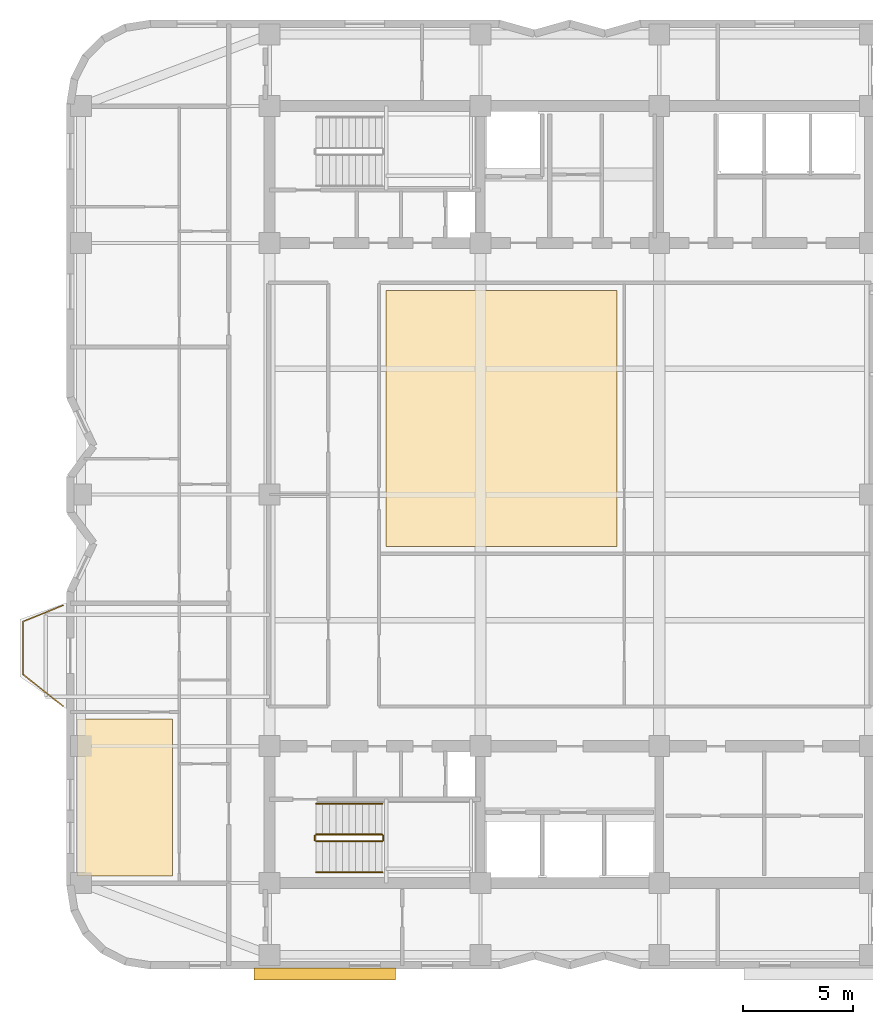
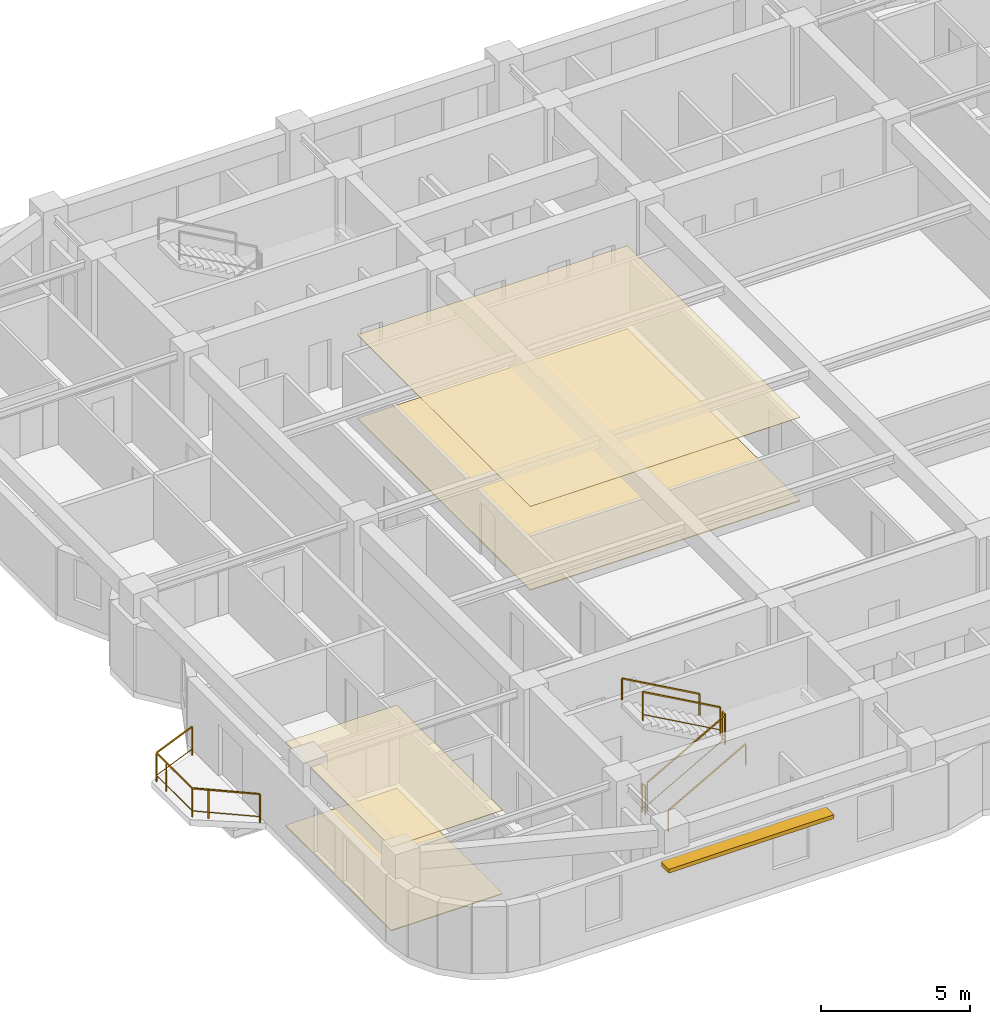
# One storey, part 8 of 10: 7 railings, 4 coverings, 1 shading device.
"""IFC4 building model written with IfcOpenShell, lengths in metres."""

from ifc_helpers import new_model, si_unit, direction, frame, origin, origin_2d, place, context, subcontext, project, spatial, polyline, rectangle, outline, extrude, material, layer, layer_set, type_object, element, save


model = new_model("IFC4")

# Units and contexts
model_context = context("Model", 3, precision=1e-05, world=origin(), true_north=direction((0.0, 1.0)))
body_context = subcontext(model_context, "Body", "Model", "MODEL_VIEW")
ifc_project = project(units=[si_unit("LENGTHUNIT", "METRE"), si_unit("AREAUNIT", "SQUARE_METRE"), si_unit("VOLUMEUNIT", "CUBIC_METRE"), si_unit("PLANEANGLEUNIT", "RADIAN"), si_unit("MASSUNIT", "GRAM", prefix="KILO")], contexts=[model_context])

# Site, building, storey
site_placement = place(None, origin())
site = spatial("IfcSite", under=ifc_project, at=site_placement, CompositionType="ELEMENT")
building_placement = place(site_placement, origin())
building = spatial("IfcBuilding", under=site, at=building_placement, Name="Svetorya Sky Lyceum", CompositionType="ELEMENT")
storey_placement = place(building_placement, frame((0.0, 0.0, 188.5)))
storey = spatial("IfcBuildingStorey", under=building, at=storey_placement, Name="L47", CompositionType="ELEMENT", Elevation=188.5)

# Coverings
ifc_material_1 = material(Name="Perforated acoustic gypsum ceiling board")
ifc_layer_1 = layer(ifc_material_1, 0.01806640625)
ifc_layer_set_1 = layer_set([ifc_layer_1], Name="Perforated acoustic gypsum ceiling board")
covering_type_1 = type_object("IfcCoveringType", Name="COV-CLG-GYP", PredefinedType="CEILING", material=ifc_layer_set_1)
covering_1_placement = place(storey_placement, frame((0.0, 0.0, 3.422119140625)))
element("IfcCovering", 1, at=covering_1_placement, inside=storey, type_object=covering_type_1, Name="Wellness Hall L47 North Acoustic Ceiling", PredefinedType="CEILING", context=body_context, shape_type="SweptSolid", body=[
    extrude(outline(polyline([(30.8701171875, 25.850341796875), (41.330078125, 25.850341796875), (41.330078125, 37.449951171875), (30.8701171875, 37.449951171875), (30.8701171875, 25.850341796875)])), origin(), (0.0, 0.0, 1.0), 0.017822265625),
])
covering_2_placement = place(storey_placement, frame((0.0, 0.0, 3.422119140625)))
element("IfcCovering", 2, at=covering_2_placement, inside=storey, type_object=covering_type_1, Name="Apartment W1 Living Room Acoustic Ceiling", PredefinedType="CEILING", context=body_context, shape_type="SweptSolid", body=[
    extrude(outline(polyline([(16.8701171875, 10.929931640625), (21.18994140625, 10.929931640625), (21.18994140625, 18.0400390625), (16.8701171875, 18.0400390625), (16.8701171875, 10.929931640625)])), origin(), (0.0, 0.0, 1.0), 0.017822265625),
])
ifc_material_2 = material(Name="Honed Karelian granite terrazzo flooring", Category="masonry")
ifc_layer_2 = layer(ifc_material_2, 0.030029296875)
ifc_layer_set_2 = layer_set([ifc_layer_2], Name="Honed Karelian granite terrazzo flooring")
covering_type_2 = type_object("IfcCoveringType", Name="COV-FLR-TER", PredefinedType="FLOORING", material=ifc_layer_set_2)
covering_3_placement = place(storey_placement, origin())
element("IfcCovering", 3, at=covering_3_placement, inside=storey, type_object=covering_type_2, Name="Wellness Hall L47 North Architectural Flooring", PredefinedType="FLOORING", context=body_context, shape_type="SweptSolid", body=[
    extrude(outline(polyline([(30.8701171875, 25.850341796875), (41.330078125, 25.850341796875), (41.330078125, 37.449951171875), (30.8701171875, 37.449951171875), (30.8701171875, 25.850341796875)])), origin(), (0.0, 0.0, 1.0), 0.030029296875),
])
covering_4_placement = place(storey_placement, origin())
element("IfcCovering", 4, at=covering_4_placement, inside=storey, type_object=covering_type_2, Name="Apartment W1 Living Room Architectural Flooring", PredefinedType="FLOORING", context=body_context, shape_type="SweptSolid", body=[
    extrude(outline(polyline([(16.8701171875, 10.929931640625), (21.18994140625, 10.929931640625), (21.18994140625, 18.0400390625), (16.8701171875, 18.0400390625), (16.8701171875, 10.929931640625)])), origin(), (0.0, 0.0, 1.0), 0.030029296875),
])

# Railings
ifc_material_3 = material(Name="Laminated safety glass and stainless AISI 316", Category="glass")
railing_type_1 = type_object("IfcRailingType", Name="RL-BAL-1200", PredefinedType="BALUSTRADE", material=ifc_material_3)
railing_1_placement = place(storey_placement, frame((16.22998046875, 18.6201171875, 0.0)))
element("IfcRailing", 5, at=railing_1_placement, inside=storey, type_object=railing_type_1, Name="L47 Balcony Balustrade BAL-W1", PredefinedType="BALUSTRADE", context=body_context, shape_type="SweptSolid", body=[
    extrude(rectangle(XDim=0.048095703125, YDim=0.048095703125, at=origin_2d()), frame((0.0, 0.0, 1.17578125), z_axis=(-0.783008919264, 0.622010476079, 0.0), x_axis=(-0.622010476079, -0.783008919264, 0.0)), (0.0, 0.0, 1.0), 2.298828125),
    extrude(rectangle(XDim=0.02392578125, YDim=0.02392578125, at=origin_2d()), frame((0.0, 0.0, 0.25), z_axis=(-0.783008919264, 0.622010476079, 0.0), x_axis=(-0.622010476079, -0.783008919264, 0.0)), (0.0, 0.0, 1.0), 2.298828125),
    extrude(rectangle(XDim=0.048095703125, YDim=0.048095703125, at=origin_2d()), frame((-1.800048828125, 1.429931640625, 1.17578125), z_axis=(0.0, 1.0, 0.0), x_axis=(-1.0, 0.0, 0.0)), (0.0, 0.0, 1.0), 2.39990234375),
    extrude(rectangle(XDim=0.02392578125, YDim=0.02392578125, at=origin_2d()), frame((-1.800048828125, 1.429931640625, 0.25), z_axis=(0.0, 1.0, 0.0), x_axis=(-1.0, 0.0, 0.0)), (0.0, 0.0, 1.0), 2.39990234375),
    extrude(rectangle(XDim=0.048095703125, YDim=0.048095703125, at=origin_2d()), frame((-1.800048828125, 3.829833984375, 1.17578125), z_axis=(0.926697865975, 0.375807218129, 0.0), x_axis=(-0.375807218129, 0.926697865975, 0.0)), (0.0, 0.0, 1.0), 1.9423828125),
    extrude(rectangle(XDim=0.02392578125, YDim=0.02392578125, at=origin_2d()), frame((-1.800048828125, 3.829833984375, 0.25), z_axis=(0.926697865975, 0.375807218129, 0.0), x_axis=(-0.375807218129, 0.926697865975, 0.0)), (0.0, 0.0, 1.0), 1.9423828125),
    extrude(rectangle(XDim=0.0419921875, YDim=0.0419921875, at=origin_2d()), origin(), (0.0, 0.0, 1.0), 1.15185546875),
    extrude(rectangle(XDim=0.0419921875, YDim=0.0419921875, at=origin_2d()), frame((-1.370361328125, 1.088623046875, 0.0)), (0.0, 0.0, 1.0), 1.15185546875),
    extrude(rectangle(XDim=0.0419921875, YDim=0.0419921875, at=origin_2d()), frame((-1.800048828125, 1.429931640625, 0.0)), (0.0, 0.0, 1.0), 1.15185546875),
    extrude(rectangle(XDim=0.0419921875, YDim=0.0419921875, at=origin_2d()), frame((-1.800048828125, 3.179931640625, 0.0)), (0.0, 0.0, 1.0), 1.15185546875),
    extrude(rectangle(XDim=0.0419921875, YDim=0.0419921875, at=origin_2d()), frame((-1.800048828125, 3.829833984375, 0.0)), (0.0, 0.0, 1.0), 1.15185546875),
    extrude(rectangle(XDim=0.0419921875, YDim=0.0419921875, at=origin_2d()), frame((0.0, 4.559814453125, 0.0)), (0.0, 0.0, 1.0), 1.15185546875),
])
ifc_material_4 = material(Name="Painted galvanized stair well guard")
railing_type_2 = type_object("IfcRailingType", Name="RL-STR-GUARD-1200", PredefinedType="GUARDRAIL", material=ifc_material_4)
railing_2_placement = place(storey_placement, frame((27.699951171875, 12.5, 0.168212890625)))
element("IfcRailing", 6, at=railing_2_placement, inside=storey, type_object=railing_type_2, Name="L47 ST-S stair guard 1", PredefinedType="GUARDRAIL", context=body_context, shape_type="SweptSolid", body=[
    extrude(rectangle(XDim=0.048095703125, YDim=0.048095703125, at=origin_2d()), frame((0.0, 0.0, 1.17578125), z_axis=(0.872272294576, 0.0, 0.489020494575), x_axis=(0.0, 1.0, 0.0)), (0.0, 0.0, 1.0), 3.439208984375),
    extrude(rectangle(XDim=0.02392578125, YDim=0.02392578125, at=origin_2d()), frame((0.0, 0.0, 0.25), z_axis=(0.872272294576, 0.0, 0.489020494575), x_axis=(0.0, 1.0, 0.0)), (0.0, 0.0, 1.0), 3.439208984375),
    extrude(rectangle(XDim=0.0419921875, YDim=0.0419921875, at=origin_2d()), origin(), (0.0, 0.0, 1.0), 1.15185546875),
    extrude(rectangle(XDim=0.0419921875, YDim=0.0419921875, at=origin_2d()), frame((3.0, 0.0, 1.681884765625)), (0.0, 0.0, 1.0), 1.15185546875),
])
railing_3_placement = place(storey_placement, frame((30.75, 12.550048828125, 1.85009765625)))
element("IfcRailing", 7, at=railing_3_placement, inside=storey, type_object=railing_type_2, Name="L47 ST-S stair guard 2", PredefinedType="GUARDRAIL", context=body_context, shape_type="SweptSolid", body=[
    extrude(rectangle(XDim=0.048095703125, YDim=0.048095703125, at=origin_2d()), frame((0.0, 0.0, 1.17578125), z_axis=(0.0, 1.0, 0.0), x_axis=(-1.0, 0.0, 0.0)), (0.0, 0.0, 1.0), 0.199951171875),
    extrude(rectangle(XDim=0.02392578125, YDim=0.02392578125, at=origin_2d()), frame((0.0, 0.0, 0.25), z_axis=(0.0, 1.0, 0.0), x_axis=(-1.0, 0.0, 0.0)), (0.0, 0.0, 1.0), 0.199951171875),
    extrude(rectangle(XDim=0.0419921875, YDim=0.0419921875, at=origin_2d()), origin(), (0.0, 0.0, 1.0), 1.15185546875),
    extrude(rectangle(XDim=0.0419921875, YDim=0.0419921875, at=origin_2d()), frame((0.0, 0.199951171875, 0.0)), (0.0, 0.0, 1.0), 1.15185546875),
])
railing_4_placement = place(storey_placement, frame((30.699951171875, 12.800048828125, 2.01806640625)))
element("IfcRailing", 8, at=railing_4_placement, inside=storey, type_object=railing_type_2, Name="L47 ST-S stair guard 3", PredefinedType="GUARDRAIL", context=body_context, shape_type="SweptSolid", body=[
    extrude(rectangle(XDim=0.048095703125, YDim=0.048095703125, at=origin_2d()), frame((0.0, 0.0, 1.17578125), z_axis=(-0.872272294576, 0.0, 0.489020494575), x_axis=(0.0, -1.0, 0.0)), (0.0, 0.0, 1.0), 3.439208984375),
    extrude(rectangle(XDim=0.02392578125, YDim=0.02392578125, at=origin_2d()), frame((0.0, 0.0, 0.25), z_axis=(-0.872272294576, 0.0, 0.489020494575), x_axis=(0.0, -1.0, 0.0)), (0.0, 0.0, 1.0), 3.439208984375),
    extrude(rectangle(XDim=0.0419921875, YDim=0.0419921875, at=origin_2d()), origin(), (0.0, 0.0, 1.0), 1.15185546875),
    extrude(rectangle(XDim=0.0419921875, YDim=0.0419921875, at=origin_2d()), frame((-3.0, 0.0, 1.681884765625)), (0.0, 0.0, 1.0), 1.15185546875),
])
railing_5_placement = place(storey_placement, frame((27.64990234375, 12.550048828125, 0.0)))
element("IfcRailing", 9, at=railing_5_placement, inside=storey, type_object=railing_type_2, Name="L47 ST-S stair guard 4", PredefinedType="GUARDRAIL", context=body_context, shape_type="SweptSolid", body=[
    extrude(rectangle(XDim=0.048095703125, YDim=0.048095703125, at=origin_2d()), frame((0.0, 0.0, 1.17578125), z_axis=(0.0, 1.0, 0.0), x_axis=(-1.0, 0.0, 0.0)), (0.0, 0.0, 1.0), 0.199951171875),
    extrude(rectangle(XDim=0.02392578125, YDim=0.02392578125, at=origin_2d()), frame((0.0, 0.0, 0.25), z_axis=(0.0, 1.0, 0.0), x_axis=(-1.0, 0.0, 0.0)), (0.0, 0.0, 1.0), 0.199951171875),
    extrude(rectangle(XDim=0.0419921875, YDim=0.0419921875, at=origin_2d()), origin(), (0.0, 0.0, 1.0), 1.15185546875),
    extrude(rectangle(XDim=0.0419921875, YDim=0.0419921875, at=origin_2d()), frame((0.0, 0.199951171875, 0.0)), (0.0, 0.0, 1.0), 1.15185546875),
])
ifc_material_5 = material(Name="Brushed stainless AISI 304 stair handrail")
railing_type_3 = type_object("IfcRailingType", Name="RL-STR-HAND-920", PredefinedType="HANDRAIL", material=ifc_material_5)
railing_6_placement = place(storey_placement, frame((27.699951171875, 11.10009765625, 0.168212890625)))
element("IfcRailing", 10, at=railing_6_placement, inside=storey, type_object=railing_type_3, Name="L47 ST-S stair handrail 1", PredefinedType="HANDRAIL", context=body_context, shape_type="SweptSolid", body=[
    extrude(rectangle(XDim=0.048095703125, YDim=0.048095703125, at=origin_2d()), frame((0.0, 0.0, 0.8759765625), z_axis=(0.872272294576, 0.0, 0.489020494575), x_axis=(0.0, 1.0, 0.0)), (0.0, 0.0, 1.0), 3.439208984375),
    extrude(rectangle(XDim=0.0419921875, YDim=0.0419921875, at=origin_2d()), origin(), (0.0, 0.0, 1.0), 0.851806640625),
    extrude(rectangle(XDim=0.0419921875, YDim=0.0419921875, at=origin_2d()), frame((3.0, 0.0, 1.681884765625)), (0.0, 0.0, 1.0), 0.851806640625),
])
railing_7_placement = place(storey_placement, frame((30.699951171875, 14.199951171875, 2.01806640625)))
element("IfcRailing", 11, at=railing_7_placement, inside=storey, type_object=railing_type_3, Name="L47 ST-S stair handrail 2", PredefinedType="HANDRAIL", context=body_context, shape_type="SweptSolid", body=[
    extrude(rectangle(XDim=0.048095703125, YDim=0.048095703125, at=origin_2d()), frame((0.0, 0.0, 0.8759765625), z_axis=(-0.872272294576, 0.0, 0.489020494575), x_axis=(0.0, -1.0, 0.0)), (0.0, 0.0, 1.0), 3.439208984375),
    extrude(rectangle(XDim=0.0419921875, YDim=0.0419921875, at=origin_2d()), origin(), (0.0, 0.0, 1.0), 0.851806640625),
    extrude(rectangle(XDim=0.0419921875, YDim=0.0419921875, at=origin_2d()), frame((-3.0, 0.0, 1.681884765625)), (0.0, 0.0, 1.0), 0.851806640625),
])

# Shading device
ifc_material_6 = material(Name="Champagne-anodized extruded aluminium sunshade", Category="aluminium")
ifc_layer_3 = layer(ifc_material_6, 0.159912109375)
ifc_layer_set_3 = layer_set([ifc_layer_3], Name="Champagne-anodized extruded aluminium sunshade")
shading_device_type = type_object("IfcShadingDeviceType", Name="SHD-LVR-540", PredefinedType="AWNING", material=ifc_layer_set_3)
shading_device_placement = place(storey_placement, frame((28.10009765625, 6.47998046875, 2.419921875), z_axis=(0.0, 0.0, 1.0), x_axis=(1.0, 0.0, 0.0)))
element("IfcShadingDevice", 12, at=shading_device_placement, inside=storey, type_object=shading_device_type, Name="L47 Solar Brise-Soleil SHD-1.6M", PredefinedType="AWNING", context=body_context, shape_type="SweptSolid", body=[
    extrude(rectangle(XDim=6.39990234375, YDim=0.5400390625, at=origin_2d()), origin(), (0.0, 0.0, 1.0), 0.159912109375),
])

save(model, "model.ifc")
